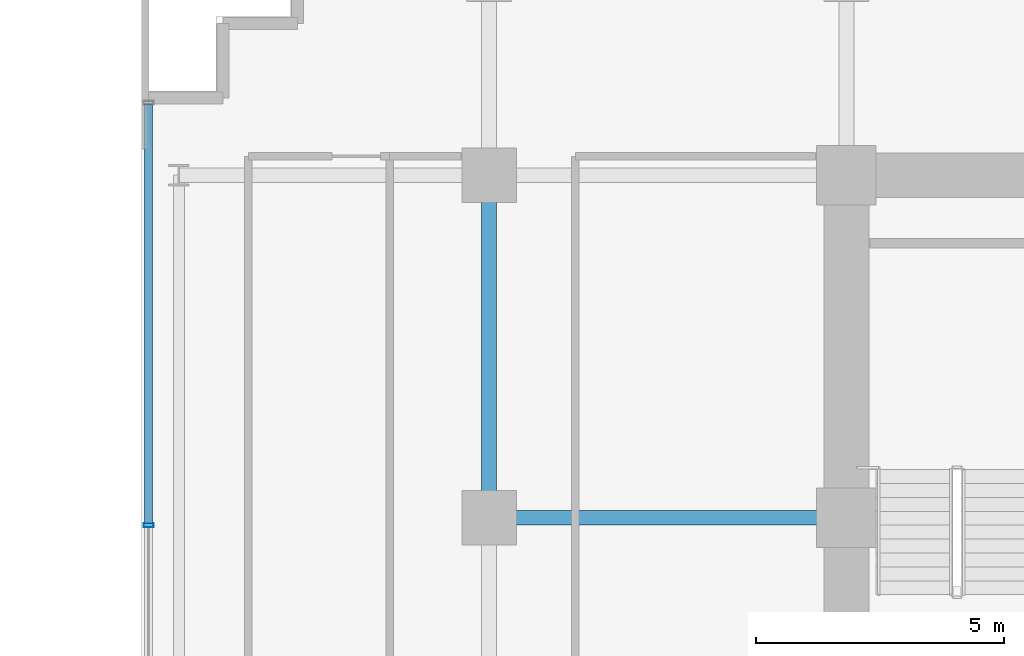
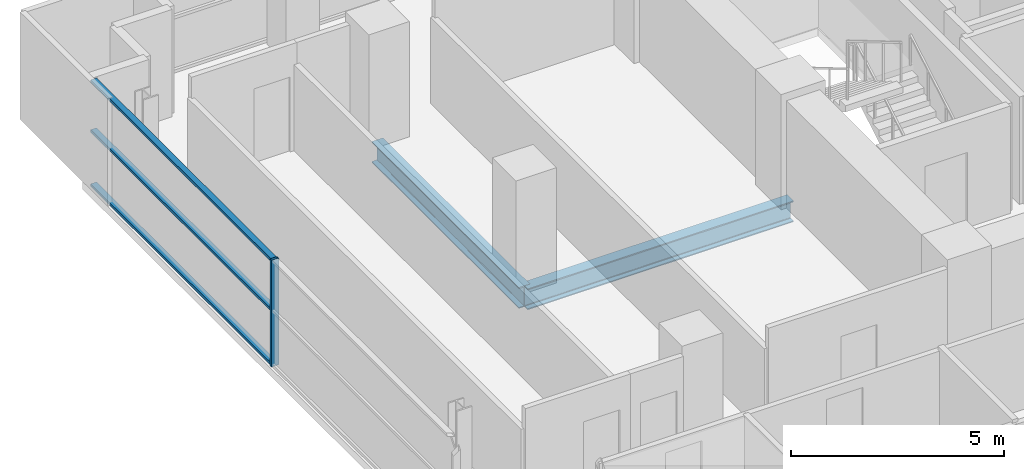
# One storey, part 7 of 31: 4 members, 2 beams, 1 element without a shape of its own.
"""IFC4 building model written with IfcOpenShell, lengths in metres."""

from ifc_helpers import new_model, si_unit, direction, frame, origin, origin_2d, place, context, subcontext, project, spatial, hollow_rectangle, i_section, extrude, source, transform, mapped, material, layer, layer_set, material_profile, profile_set, type_object, element, aggregate, save


model = new_model("IFC4")

# Units and contexts
model_context = context("Model", 3, precision=1e-05, world=origin(), true_north=direction((0.0, 1.0)))
body_context = subcontext(model_context, "Body", "Model", "MODEL_VIEW")
ifc_project = project(units=[si_unit("LENGTHUNIT", "METRE"), si_unit("AREAUNIT", "SQUARE_METRE"), si_unit("VOLUMEUNIT", "CUBIC_METRE"), si_unit("PLANEANGLEUNIT", "RADIAN"), si_unit("MASSUNIT", "GRAM", prefix="KILO")], contexts=[model_context])

# Site, building, storey
site_placement = place(None, origin())
site = spatial("IfcSite", under=ifc_project, at=site_placement, CompositionType="ELEMENT")
building_placement = place(site_placement, origin())
building = spatial("IfcBuilding", under=site, at=building_placement, Name="Zarnakvel Exchange Tower", CompositionType="ELEMENT")
storey_placement = place(building_placement, frame((0.0, 0.0, 67.0)))
storey = spatial("IfcBuildingStorey", under=building, at=storey_placement, Name="L18", CompositionType="ELEMENT", Elevation=67.0)

# Beams
ifc_material_1 = material(Name="Steel S355", Category="steel")
ifc_material_profile_1 = material_profile(ifc_material_1, i_section(OverallWidth=0.300048828125, OverallDepth=0.60009765625, WebThickness=0.015380859375, FlangeThickness=0.030029296875, FilletRadius=0.027099609375, at=origin_2d()))
ifc_profile_set_1 = profile_set([ifc_material_profile_1], Name="Steel S355")
beam_type = type_object("IfcBeamType", Name="G-04", PredefinedType="BEAM", material=ifc_profile_set_1)
beam_1_placement = place(storey_placement, frame((-21.60009765625, 6.60009765625, -0.52490234375), z_axis=(1.0, 0.0, 0.0), x_axis=(0.0, 1.0, 0.0)))
element("IfcBeam", 1, at=beam_1_placement, inside=storey, type_object=beam_type, Name="L18 Tower E-W Frame Beam", PredefinedType="BEAM", context=body_context, shape_type="SweptSolid", body=[
    extrude(i_section(OverallWidth=0.300048828125, OverallDepth=0.60009765625, WebThickness=0.015380859375, FlangeThickness=0.030029296875, FilletRadius=0.027099609375, at=origin_2d()), origin(), (0.0, 0.0, 1.0), 7.2001953125),
])
beam_2_placement = place(storey_placement, frame((-21.60009765625, 6.60009765625, -0.52490234375), z_axis=(0.0, 1.0, 0.0), x_axis=(-1.0, 0.0, 0.0)))
element("IfcBeam", 2, at=beam_2_placement, inside=storey, type_object=beam_type, Name="L18 Tower N-S Frame Beam", PredefinedType="BEAM", context=body_context, shape_type="SweptSolid", body=[
    extrude(i_section(OverallWidth=0.300048828125, OverallDepth=0.60009765625, WebThickness=0.015380859375, FlangeThickness=0.030029296875, FilletRadius=0.027099609375, at=origin_2d()), origin(), (0.0, 0.0, 1.0), 6.89990234375),
])

# Curtain wall, members
ifc_material_2 = material(Name="Architectural Bronze Anodised Aluminium", Category="aluminium")
ifc_layer = layer(ifc_material_2, 0.199951171875)
ifc_layer_set = layer_set([ifc_layer], Name="Architectural Bronze Anodised Aluminium")
curtain_wall_type = type_object("IfcCurtainWallType", Name="CW-04", PredefinedType="NOTDEFINED", material=ifc_layer_set)
curtain_wall_placement = place(storey_placement, origin())
curtain_wall = element("IfcCurtainWall", 3, at=curtain_wall_placement, inside=storey, type_object=curtain_wall_type, Name="L18 Curtain Wall CW-L18-WN (CW-04)", PredefinedType="NOTDEFINED")
ifc_material_profile_2 = material_profile(ifc_material_2, hollow_rectangle(XDim=0.159912109375, YDim=0.074951171875, WallThickness=0.00390625, at=origin_2d()))
ifc_profile_set_2 = profile_set([ifc_material_profile_2], Name="Architectural Bronze Anodised Aluminium")
member_type_1 = type_object("IfcMemberType", Name="CWT-04", PredefinedType="USERDEFINED", material=ifc_profile_set_2)
shared_shape_1 = source(origin(), body_context, "Body", "SweptSolid", [
    extrude(hollow_rectangle(XDim=0.159912109375, YDim=0.074951171875, WallThickness=0.00390625, at=origin_2d()), origin(), (0.0, 0.0, 1.0), 8.4375),
])
member_1_placement = place(storey_placement, frame((-28.4599609375, 6.487548828125, 0.03759765625), z_axis=(0.0, 1.0, 0.0), x_axis=(-1.0, 0.0, 0.0)))
member_1 = element("IfcMember", 4, at=member_1_placement, type_object=member_type_1, Name="CW-04 transom 2.1", ObjectType="TRANSOM", PredefinedType="USERDEFINED", context=body_context, shape_type="MappedRepresentation", body=[
    mapped(shared_shape_1, transform((0.0, 0.0, 0.0), x_axis=(1.0, 0.0, 0.0), y_axis=(0.0, 1.0, 0.0), z_axis=(0.0, 0.0, 1.0), scale=1.0)),
])
member_2_placement = place(storey_placement, frame((-28.4599609375, 6.487548828125, 1.588623046875), z_axis=(0.0, 1.0, 0.0), x_axis=(-1.0, 0.0, 0.0)))
member_2 = element("IfcMember", 5, at=member_2_placement, type_object=member_type_1, Name="CW-04 transom 2.2", ObjectType="TRANSOM", PredefinedType="USERDEFINED", context=body_context, shape_type="MappedRepresentation", body=[
    mapped(shared_shape_1, transform((0.0, 0.0, 0.0), x_axis=(1.0, 0.0, 0.0), y_axis=(0.0, 1.0, 0.0), z_axis=(0.0, 0.0, 1.0), scale=1.0)),
])
member_3_placement = place(storey_placement, frame((-28.4599609375, 6.487548828125, 3.017578125), z_axis=(0.0, 1.0, 0.0), x_axis=(-1.0, 0.0, 0.0)))
member_3 = element("IfcMember", 6, at=member_3_placement, type_object=member_type_1, Name="CW-04 transom 2.3", ObjectType="TRANSOM", PredefinedType="USERDEFINED", context=body_context, shape_type="MappedRepresentation", body=[
    mapped(shared_shape_1, transform((0.0, 0.0, 0.0), x_axis=(1.0, 0.0, 0.0), y_axis=(0.0, 1.0, 0.0), z_axis=(0.0, 0.0, 1.0), scale=1.0)),
])
ifc_material_profile_3 = material_profile(ifc_material_2, hollow_rectangle(XDim=0.199951171875, YDim=0.074951171875, WallThickness=0.0048828125, at=origin_2d()))
ifc_profile_set_3 = profile_set([ifc_material_profile_3], Name="Architectural Bronze Anodised Aluminium")
member_type_2 = type_object("IfcMemberType", Name="CWM-04", PredefinedType="MULLION", material=ifc_profile_set_3)
shared_shape_2 = source(origin(), body_context, "Body", "SweptSolid", [
    extrude(hollow_rectangle(XDim=0.199951171875, YDim=0.074951171875, WallThickness=0.0048828125, at=origin_2d()), origin(), (0.0, 0.0, 1.0), 3.054931640625),
])
member_4_placement = place(storey_placement, frame((-28.4599609375, 6.449951171875, 0.0), z_axis=(0.0, 0.0, 1.0), x_axis=(-1.0, 0.0, 0.0)))
member_4 = element("IfcMember", 7, at=member_4_placement, type_object=member_type_2, Name="CW-04 mullion 2", PredefinedType="MULLION", context=body_context, shape_type="MappedRepresentation", body=[
    mapped(shared_shape_2, transform((0.0, 0.0, 0.0), x_axis=(1.0, 0.0, 0.0), y_axis=(0.0, 1.0, 0.0), z_axis=(0.0, 0.0, 1.0), scale=1.0)),
])
aggregate(curtain_wall, [member_4, member_1, member_2, member_3])

save(model, "model.ifc")
